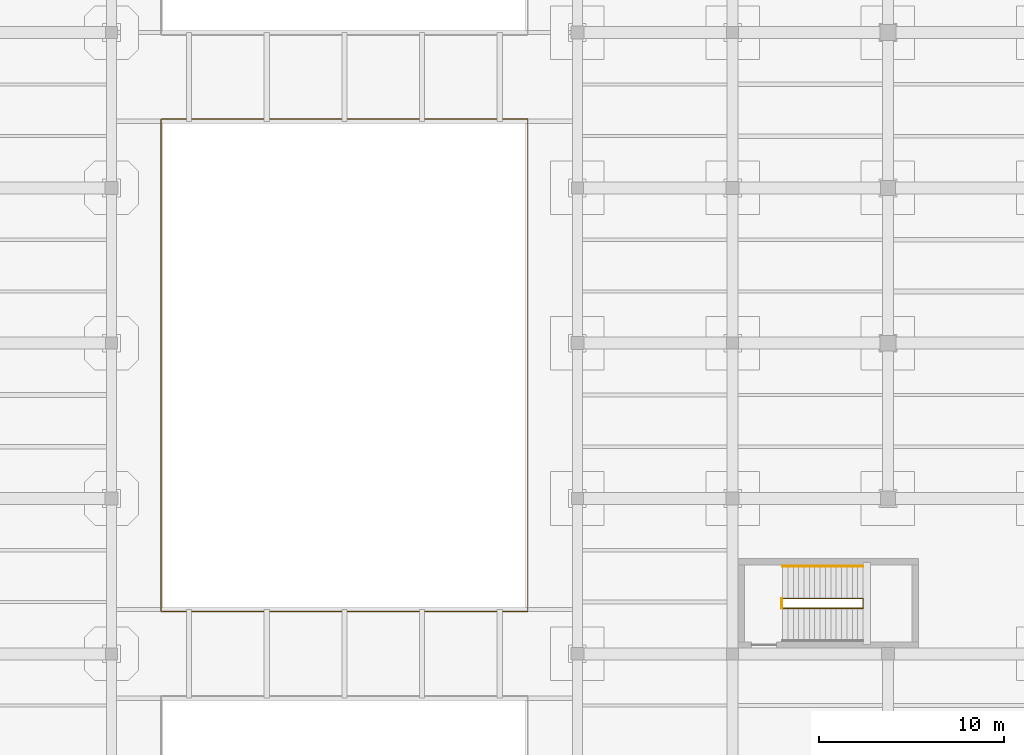
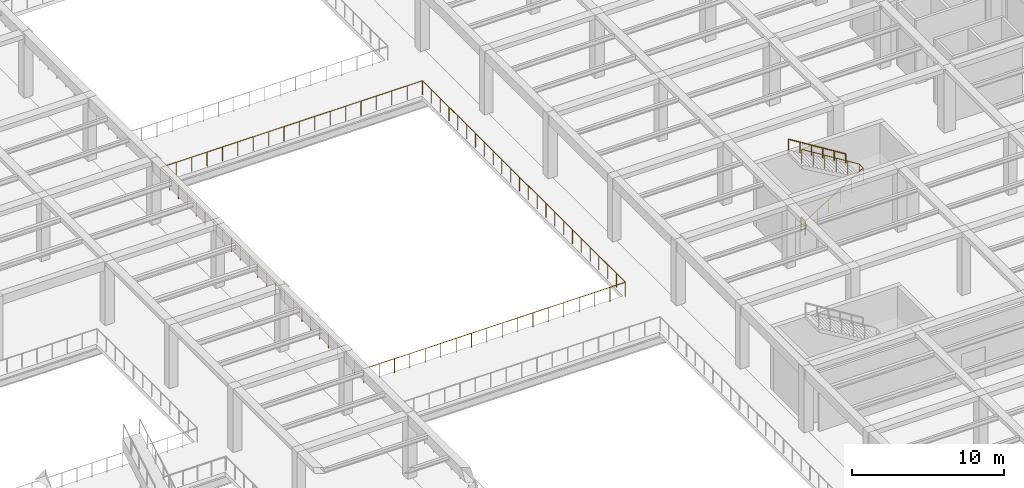
# One storey, part 90 of 95: 4 railings.
"""IFC4 building model written with IfcOpenShell, lengths in metres."""

from ifc_helpers import new_model, si_unit, direction, frame, origin, origin_2d, place, context, subcontext, project, spatial, circle, extrude, material, type_object, element, save


model = new_model("IFC4")

# Units and contexts
model_context = context("Model", 3, precision=1e-05, world=origin(), true_north=direction((0.0, 1.0)))
body_context = subcontext(model_context, "Body", "Model", "MODEL_VIEW")
ifc_project = project(units=[si_unit("LENGTHUNIT", "METRE"), si_unit("AREAUNIT", "SQUARE_METRE"), si_unit("VOLUMEUNIT", "CUBIC_METRE"), si_unit("PLANEANGLEUNIT", "RADIAN"), si_unit("MASSUNIT", "GRAM", prefix="KILO")], contexts=[model_context])

# Site, building, storey
site_placement = place(None, origin())
site = spatial("IfcSite", under=ifc_project, at=site_placement, CompositionType="ELEMENT")
building_placement = place(site_placement, origin())
building = spatial("IfcBuilding", under=site, at=building_placement, Name="Almacenes y Pasaje Nevantli", CompositionType="ELEMENT")
storey_placement = place(building_placement, frame((0.0, 0.0, 11.39990234375)))
storey = spatial("IfcBuildingStorey", under=building, at=storey_placement, Name="L03", CompositionType="ELEMENT", Elevation=11.39990234375)

# Railings
ifc_material_1 = material(Name="Brushed Stainless Steel and Tempered Safety Glass", Category="steel")
railing_type_1 = type_object("IfcRailingType", Name="RL-GUARD-1100", PredefinedType="BALUSTRADE", material=ifc_material_1)
railing_1_placement = place(storey_placement, frame((103.5, 61.260009765625, 0.0)))
element("IfcRailing", 1, at=railing_1_placement, inside=storey, type_object=railing_type_1, Name="L03 Stair ST-13 Inner Well Guard Balustrade", PredefinedType="BALUSTRADE", context=body_context, shape_type="SweptSolid", body=[
    extrude(circle(Radius=0.02392578125, at=origin_2d()), frame((0.025390625, 0.0, 1.1416015625), z_axis=(0.849628378081, 0.0, 0.527381853271), x_axis=(0.0, 1.0, 0.0)), (0.0, 0.0, 1.0), 5.06005859375),
    extrude(circle(Radius=0.02392578125, at=origin_2d()), frame((4.35009765625, 0.030029296875, 3.826171875), z_axis=(0.0, 1.0, 0.0), x_axis=(-1.0, 0.0, 0.0)), (0.0, 0.0, 1.0), 0.469970703125),
    extrude(circle(Radius=0.02392578125, at=origin_2d()), frame((4.32470703125, 0.530029296875, 3.841796875), z_axis=(-0.849649743971, 0.0, 0.527347430608), x_axis=(0.0, -1.0, 0.0)), (0.0, 0.0, 1.0), 5.059814453125),
    extrude(circle(Radius=0.02099609375, at=origin_2d()), origin(), (0.0, 0.0, 1.0), 1.096923828125),
    extrude(circle(Radius=0.02099609375, at=origin_2d()), frame((0.8701171875, 0.0, 0.5400390625)), (0.0, 0.0, 1.0), 1.096923828125),
    extrude(circle(Radius=0.02099609375, at=origin_2d()), frame((1.739990234375, 0.0, 1.080078125)), (0.0, 0.0, 1.0), 1.096923828125),
    extrude(circle(Radius=0.02099609375, at=origin_2d()), frame((2.610107421875, 0.0, 1.6201171875)), (0.0, 0.0, 1.0), 1.096923828125),
    extrude(circle(Radius=0.02099609375, at=origin_2d()), frame((3.47998046875, 0.0, 2.16015625)), (0.0, 0.0, 1.0), 1.096923828125),
    extrude(circle(Radius=0.02099609375, at=origin_2d()), frame((4.35009765625, 0.0, 2.7001953125)), (0.0, 0.0, 1.0), 1.096923828125),
    extrude(circle(Radius=0.02099609375, at=origin_2d()), frame((4.35009765625, 0.530029296875, 2.7001953125)), (0.0, 0.0, 1.0), 1.096923828125),
    extrude(circle(Radius=0.02099609375, at=origin_2d()), frame((3.47998046875, 0.530029296875, 3.240234375)), (0.0, 0.0, 1.0), 1.096923828125),
    extrude(circle(Radius=0.02099609375, at=origin_2d()), frame((2.610107421875, 0.530029296875, 3.7802734375)), (0.0, 0.0, 1.0), 1.096923828125),
    extrude(circle(Radius=0.02099609375, at=origin_2d()), frame((1.739990234375, 0.530029296875, 4.320068359375)), (0.0, 0.0, 1.0), 1.096923828125),
    extrude(circle(Radius=0.02099609375, at=origin_2d()), frame((0.8701171875, 0.530029296875, 4.860107421875)), (0.0, 0.0, 1.0), 1.096923828125),
    extrude(circle(Radius=0.02099609375, at=origin_2d()), frame((0.0, 0.530029296875, 5.400146484375)), (0.0, 0.0, 1.0), 1.096923828125),
])
railing_2_placement = place(storey_placement, frame((103.4599609375, 61.260009765625, 0.0)))
element("IfcRailing", 2, at=railing_2_placement, inside=storey, type_object=railing_type_1, Name="L03 Stair ST-13 Landing Well Slot Guard", PredefinedType="BALUSTRADE", context=body_context, shape_type="SweptSolid", body=[
    extrude(circle(Radius=0.02392578125, at=origin_2d()), frame((0.0, 0.030029296875, 1.1259765625), z_axis=(0.0, 1.0, 0.0), x_axis=(-1.0, 0.0, 0.0)), (0.0, 0.0, 1.0), 0.469970703125),
    extrude(circle(Radius=0.02099609375, at=origin_2d()), origin(), (0.0, 0.0, 1.0), 1.096923828125),
    extrude(circle(Radius=0.02099609375, at=origin_2d()), frame((0.0, 0.530029296875, 0.0)), (0.0, 0.0, 1.0), 1.096923828125),
])
railing_3_placement = place(storey_placement, frame((69.8798828125, 61.080078125, 0.0)))
element("IfcRailing", 3, at=railing_3_placement, inside=storey, type_object=railing_type_1, Name="L03 Arcade Galleria Void VOID-ARC-3 Guard Balustrade", PredefinedType="BALUSTRADE", context=body_context, shape_type="SweptSolid", body=[
    extrude(circle(Radius=0.02392578125, at=origin_2d()), frame((0.030029296875, 0.0, 1.1259765625), z_axis=(1.0, 0.0, 0.0), x_axis=(0.0, 1.0, 0.0)), (0.0, 0.0, 1.0), 19.780029296875),
    extrude(circle(Radius=0.02392578125, at=origin_2d()), frame((19.840087890625, 0.030029296875, 1.1259765625), z_axis=(0.0, 1.0, 0.0), x_axis=(-1.0, 0.0, 0.0)), (0.0, 0.0, 1.0), 26.579833984375),
    extrude(circle(Radius=0.02392578125, at=origin_2d()), frame((19.81005859375, 26.639892578125, 1.1259765625), z_axis=(-1.0, 0.0, 0.0), x_axis=(0.0, -1.0, 0.0)), (0.0, 0.0, 1.0), 19.780029296875),
    extrude(circle(Radius=0.02392578125, at=origin_2d()), frame((0.0, 26.60986328125, 1.1259765625), z_axis=(0.0, -1.0, 0.0), x_axis=(1.0, 0.0, 0.0)), (0.0, 0.0, 1.0), 26.579833984375),
    extrude(circle(Radius=0.02099609375, at=origin_2d()), origin(), (0.0, 0.0, 1.0), 1.096923828125),
    extrude(circle(Radius=0.02099609375, at=origin_2d()), frame((1.1669921875, 0.0, 0.0)), (0.0, 0.0, 1.0), 1.096923828125),
    extrude(circle(Radius=0.02099609375, at=origin_2d()), frame((2.334228515625, 0.0, 0.0)), (0.0, 0.0, 1.0), 1.096923828125),
    extrude(circle(Radius=0.02099609375, at=origin_2d()), frame((3.501220703125, 0.0, 0.0)), (0.0, 0.0, 1.0), 1.096923828125),
    extrude(circle(Radius=0.02099609375, at=origin_2d()), frame((4.668212890625, 0.0, 0.0)), (0.0, 0.0, 1.0), 1.096923828125),
    extrude(circle(Radius=0.02099609375, at=origin_2d()), frame((5.835205078125, 0.0, 0.0)), (0.0, 0.0, 1.0), 1.096923828125),
    extrude(circle(Radius=0.02099609375, at=origin_2d()), frame((7.00244140625, 0.0, 0.0)), (0.0, 0.0, 1.0), 1.096923828125),
    extrude(circle(Radius=0.02099609375, at=origin_2d()), frame((8.16943359375, 0.0, 0.0)), (0.0, 0.0, 1.0), 1.096923828125),
    extrude(circle(Radius=0.02099609375, at=origin_2d()), frame((9.33642578125, 0.0, 0.0)), (0.0, 0.0, 1.0), 1.096923828125),
    extrude(circle(Radius=0.02099609375, at=origin_2d()), frame((10.503662109375, 0.0, 0.0)), (0.0, 0.0, 1.0), 1.096923828125),
    extrude(circle(Radius=0.02099609375, at=origin_2d()), frame((11.670654296875, 0.0, 0.0)), (0.0, 0.0, 1.0), 1.096923828125),
    extrude(circle(Radius=0.02099609375, at=origin_2d()), frame((12.837646484375, 0.0, 0.0)), (0.0, 0.0, 1.0), 1.096923828125),
    extrude(circle(Radius=0.02099609375, at=origin_2d()), frame((14.0048828125, 0.0, 0.0)), (0.0, 0.0, 1.0), 1.096923828125),
    extrude(circle(Radius=0.02099609375, at=origin_2d()), frame((15.171875, 0.0, 0.0)), (0.0, 0.0, 1.0), 1.096923828125),
    extrude(circle(Radius=0.02099609375, at=origin_2d()), frame((16.3388671875, 0.0, 0.0)), (0.0, 0.0, 1.0), 1.096923828125),
    extrude(circle(Radius=0.02099609375, at=origin_2d()), frame((17.505859375, 0.0, 0.0)), (0.0, 0.0, 1.0), 1.096923828125),
    extrude(circle(Radius=0.02099609375, at=origin_2d()), frame((18.673095703125, 0.0, 0.0)), (0.0, 0.0, 1.0), 1.096923828125),
    extrude(circle(Radius=0.02099609375, at=origin_2d()), frame((19.840087890625, 0.0, 0.0)), (0.0, 0.0, 1.0), 1.096923828125),
    extrude(circle(Radius=0.02099609375, at=origin_2d()), frame((19.840087890625, 1.158203125, 0.0)), (0.0, 0.0, 1.0), 1.096923828125),
    extrude(circle(Radius=0.02099609375, at=origin_2d()), frame((19.840087890625, 2.31640625, 0.0)), (0.0, 0.0, 1.0), 1.096923828125),
    extrude(circle(Radius=0.02099609375, at=origin_2d()), frame((19.840087890625, 3.474853515625, 0.0)), (0.0, 0.0, 1.0), 1.096923828125),
    extrude(circle(Radius=0.02099609375, at=origin_2d()), frame((19.840087890625, 4.633056640625, 0.0)), (0.0, 0.0, 1.0), 1.096923828125),
    extrude(circle(Radius=0.02099609375, at=origin_2d()), frame((19.840087890625, 5.791259765625, 0.0)), (0.0, 0.0, 1.0), 1.096923828125),
    extrude(circle(Radius=0.02099609375, at=origin_2d()), frame((19.840087890625, 6.949462890625, 0.0)), (0.0, 0.0, 1.0), 1.096923828125),
    extrude(circle(Radius=0.02099609375, at=origin_2d()), frame((19.840087890625, 8.10791015625, 0.0)), (0.0, 0.0, 1.0), 1.096923828125),
    extrude(circle(Radius=0.02099609375, at=origin_2d()), frame((19.840087890625, 9.26611328125, 0.0)), (0.0, 0.0, 1.0), 1.096923828125),
    extrude(circle(Radius=0.02099609375, at=origin_2d()), frame((19.840087890625, 10.42431640625, 0.0)), (0.0, 0.0, 1.0), 1.096923828125),
    extrude(circle(Radius=0.02099609375, at=origin_2d()), frame((19.840087890625, 11.58251953125, 0.0)), (0.0, 0.0, 1.0), 1.096923828125),
    extrude(circle(Radius=0.02099609375, at=origin_2d()), frame((19.840087890625, 12.74072265625, 0.0)), (0.0, 0.0, 1.0), 1.096923828125),
    extrude(circle(Radius=0.02099609375, at=origin_2d()), frame((19.840087890625, 13.899169921875, 0.0)), (0.0, 0.0, 1.0), 1.096923828125),
    extrude(circle(Radius=0.02099609375, at=origin_2d()), frame((19.840087890625, 15.057373046875, 0.0)), (0.0, 0.0, 1.0), 1.096923828125),
    extrude(circle(Radius=0.02099609375, at=origin_2d()), frame((19.840087890625, 16.215576171875, 0.0)), (0.0, 0.0, 1.0), 1.096923828125),
    extrude(circle(Radius=0.02099609375, at=origin_2d()), frame((19.840087890625, 17.373779296875, 0.0)), (0.0, 0.0, 1.0), 1.096923828125),
    extrude(circle(Radius=0.02099609375, at=origin_2d()), frame((19.840087890625, 18.531982421875, 0.0)), (0.0, 0.0, 1.0), 1.096923828125),
    extrude(circle(Radius=0.02099609375, at=origin_2d()), frame((19.840087890625, 19.6904296875, 0.0)), (0.0, 0.0, 1.0), 1.096923828125),
    extrude(circle(Radius=0.02099609375, at=origin_2d()), frame((19.840087890625, 20.8486328125, 0.0)), (0.0, 0.0, 1.0), 1.096923828125),
    extrude(circle(Radius=0.02099609375, at=origin_2d()), frame((19.840087890625, 22.0068359375, 0.0)), (0.0, 0.0, 1.0), 1.096923828125),
    extrude(circle(Radius=0.02099609375, at=origin_2d()), frame((19.840087890625, 23.1650390625, 0.0)), (0.0, 0.0, 1.0), 1.096923828125),
    extrude(circle(Radius=0.02099609375, at=origin_2d()), frame((19.840087890625, 24.323486328125, 0.0)), (0.0, 0.0, 1.0), 1.096923828125),
    extrude(circle(Radius=0.02099609375, at=origin_2d()), frame((19.840087890625, 25.481689453125, 0.0)), (0.0, 0.0, 1.0), 1.096923828125),
    extrude(circle(Radius=0.02099609375, at=origin_2d()), frame((19.840087890625, 26.639892578125, 0.0)), (0.0, 0.0, 1.0), 1.096923828125),
    extrude(circle(Radius=0.02099609375, at=origin_2d()), frame((18.673095703125, 26.639892578125, 0.0)), (0.0, 0.0, 1.0), 1.096923828125),
    extrude(circle(Radius=0.02099609375, at=origin_2d()), frame((17.505859375, 26.639892578125, 0.0)), (0.0, 0.0, 1.0), 1.096923828125),
    extrude(circle(Radius=0.02099609375, at=origin_2d()), frame((16.3388671875, 26.639892578125, 0.0)), (0.0, 0.0, 1.0), 1.096923828125),
    extrude(circle(Radius=0.02099609375, at=origin_2d()), frame((15.171875, 26.639892578125, 0.0)), (0.0, 0.0, 1.0), 1.096923828125),
    extrude(circle(Radius=0.02099609375, at=origin_2d()), frame((14.0048828125, 26.639892578125, 0.0)), (0.0, 0.0, 1.0), 1.096923828125),
    extrude(circle(Radius=0.02099609375, at=origin_2d()), frame((12.837646484375, 26.639892578125, 0.0)), (0.0, 0.0, 1.0), 1.096923828125),
    extrude(circle(Radius=0.02099609375, at=origin_2d()), frame((11.670654296875, 26.639892578125, 0.0)), (0.0, 0.0, 1.0), 1.096923828125),
    extrude(circle(Radius=0.02099609375, at=origin_2d()), frame((10.503662109375, 26.639892578125, 0.0)), (0.0, 0.0, 1.0), 1.096923828125),
    extrude(circle(Radius=0.02099609375, at=origin_2d()), frame((9.33642578125, 26.639892578125, 0.0)), (0.0, 0.0, 1.0), 1.096923828125),
    extrude(circle(Radius=0.02099609375, at=origin_2d()), frame((8.16943359375, 26.639892578125, 0.0)), (0.0, 0.0, 1.0), 1.096923828125),
    extrude(circle(Radius=0.02099609375, at=origin_2d()), frame((7.00244140625, 26.639892578125, 0.0)), (0.0, 0.0, 1.0), 1.096923828125),
    extrude(circle(Radius=0.02099609375, at=origin_2d()), frame((5.835205078125, 26.639892578125, 0.0)), (0.0, 0.0, 1.0), 1.096923828125),
    extrude(circle(Radius=0.02099609375, at=origin_2d()), frame((4.668212890625, 26.639892578125, 0.0)), (0.0, 0.0, 1.0), 1.096923828125),
    extrude(circle(Radius=0.02099609375, at=origin_2d()), frame((3.501220703125, 26.639892578125, 0.0)), (0.0, 0.0, 1.0), 1.096923828125),
    extrude(circle(Radius=0.02099609375, at=origin_2d()), frame((2.334228515625, 26.639892578125, 0.0)), (0.0, 0.0, 1.0), 1.096923828125),
    extrude(circle(Radius=0.02099609375, at=origin_2d()), frame((1.1669921875, 26.639892578125, 0.0)), (0.0, 0.0, 1.0), 1.096923828125),
    extrude(circle(Radius=0.02099609375, at=origin_2d()), frame((0.0, 26.639892578125, 0.0)), (0.0, 0.0, 1.0), 1.096923828125),
    extrude(circle(Radius=0.02099609375, at=origin_2d()), frame((0.0, 25.481689453125, 0.0)), (0.0, 0.0, 1.0), 1.096923828125),
    extrude(circle(Radius=0.02099609375, at=origin_2d()), frame((0.0, 24.323486328125, 0.0)), (0.0, 0.0, 1.0), 1.096923828125),
    extrude(circle(Radius=0.02099609375, at=origin_2d()), frame((0.0, 23.1650390625, 0.0)), (0.0, 0.0, 1.0), 1.096923828125),
    extrude(circle(Radius=0.02099609375, at=origin_2d()), frame((0.0, 22.0068359375, 0.0)), (0.0, 0.0, 1.0), 1.096923828125),
    extrude(circle(Radius=0.02099609375, at=origin_2d()), frame((0.0, 20.8486328125, 0.0)), (0.0, 0.0, 1.0), 1.096923828125),
    extrude(circle(Radius=0.02099609375, at=origin_2d()), frame((0.0, 19.6904296875, 0.0)), (0.0, 0.0, 1.0), 1.096923828125),
    extrude(circle(Radius=0.02099609375, at=origin_2d()), frame((0.0, 18.531982421875, 0.0)), (0.0, 0.0, 1.0), 1.096923828125),
    extrude(circle(Radius=0.02099609375, at=origin_2d()), frame((0.0, 17.373779296875, 0.0)), (0.0, 0.0, 1.0), 1.096923828125),
    extrude(circle(Radius=0.02099609375, at=origin_2d()), frame((0.0, 16.215576171875, 0.0)), (0.0, 0.0, 1.0), 1.096923828125),
    extrude(circle(Radius=0.02099609375, at=origin_2d()), frame((0.0, 15.057373046875, 0.0)), (0.0, 0.0, 1.0), 1.096923828125),
    extrude(circle(Radius=0.02099609375, at=origin_2d()), frame((0.0, 13.899169921875, 0.0)), (0.0, 0.0, 1.0), 1.096923828125),
    extrude(circle(Radius=0.02099609375, at=origin_2d()), frame((0.0, 12.74072265625, 0.0)), (0.0, 0.0, 1.0), 1.096923828125),
    extrude(circle(Radius=0.02099609375, at=origin_2d()), frame((0.0, 11.58251953125, 0.0)), (0.0, 0.0, 1.0), 1.096923828125),
    extrude(circle(Radius=0.02099609375, at=origin_2d()), frame((0.0, 10.42431640625, 0.0)), (0.0, 0.0, 1.0), 1.096923828125),
    extrude(circle(Radius=0.02099609375, at=origin_2d()), frame((0.0, 9.26611328125, 0.0)), (0.0, 0.0, 1.0), 1.096923828125),
    extrude(circle(Radius=0.02099609375, at=origin_2d()), frame((0.0, 8.10791015625, 0.0)), (0.0, 0.0, 1.0), 1.096923828125),
    extrude(circle(Radius=0.02099609375, at=origin_2d()), frame((0.0, 6.949462890625, 0.0)), (0.0, 0.0, 1.0), 1.096923828125),
    extrude(circle(Radius=0.02099609375, at=origin_2d()), frame((0.0, 5.791259765625, 0.0)), (0.0, 0.0, 1.0), 1.096923828125),
    extrude(circle(Radius=0.02099609375, at=origin_2d()), frame((0.0, 4.633056640625, 0.0)), (0.0, 0.0, 1.0), 1.096923828125),
    extrude(circle(Radius=0.02099609375, at=origin_2d()), frame((0.0, 3.474853515625, 0.0)), (0.0, 0.0, 1.0), 1.096923828125),
    extrude(circle(Radius=0.02099609375, at=origin_2d()), frame((0.0, 2.31640625, 0.0)), (0.0, 0.0, 1.0), 1.096923828125),
    extrude(circle(Radius=0.02099609375, at=origin_2d()), frame((0.0, 1.158203125, 0.0)), (0.0, 0.0, 1.0), 1.096923828125),
])
ifc_material_2 = material(Name="Brushed Stainless Steel Tube", Category="steel")
railing_type_2 = type_object("IfcRailingType", Name="RL-HANDRAIL-900", PredefinedType="HANDRAIL", material=ifc_material_2)
railing_4_placement = place(storey_placement, frame((107.85009765625, 63.5400390625, 2.7001953125)))
element("IfcRailing", 4, at=railing_4_placement, inside=storey, type_object=railing_type_2, Name="L03 Stair ST-13 Upper Flight Handrail", PredefinedType="HANDRAIL", context=body_context, shape_type="SweptSolid", body=[
    extrude(circle(Radius=0.02392578125, at=origin_2d()), frame((-0.025390625, 0.0, 0.8916015625), z_axis=(-0.849649743971, 0.0, 0.527347430608), x_axis=(0.0, -1.0, 0.0)), (0.0, 0.0, 1.0), 5.059814453125),
    extrude(circle(Radius=0.02099609375, at=origin_2d()), origin(), (0.0, 0.0, 1.0), 0.846923828125),
    extrude(circle(Radius=0.02099609375, at=origin_2d()), frame((-0.8701171875, 0.0, 0.5400390625)), (0.0, 0.0, 1.0), 0.846923828125),
    extrude(circle(Radius=0.02099609375, at=origin_2d()), frame((-1.739990234375, 0.0, 1.080078125)), (0.0, 0.0, 1.0), 0.846923828125),
    extrude(circle(Radius=0.02099609375, at=origin_2d()), frame((-2.610107421875, 0.0, 1.619873046875)), (0.0, 0.0, 1.0), 0.846923828125),
    extrude(circle(Radius=0.02099609375, at=origin_2d()), frame((-3.47998046875, 0.0, 2.159912109375)), (0.0, 0.0, 1.0), 0.846923828125),
    extrude(circle(Radius=0.02099609375, at=origin_2d()), frame((-4.35009765625, 0.0, 2.699951171875)), (0.0, 0.0, 1.0), 0.846923828125),
])

save(model, "model.ifc")
